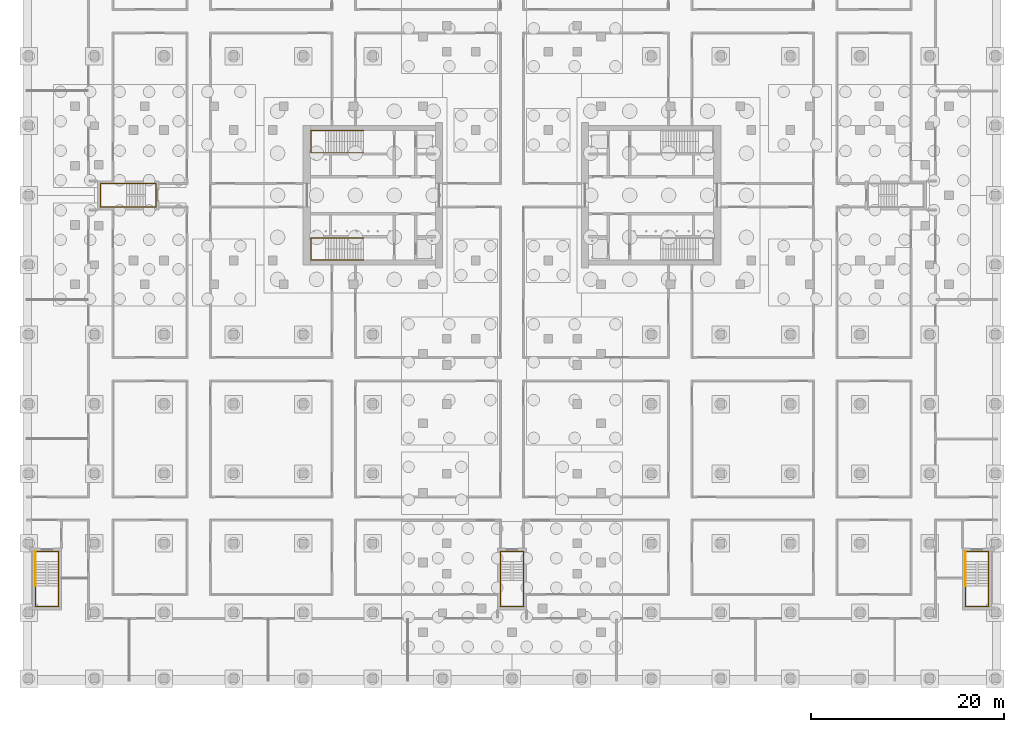
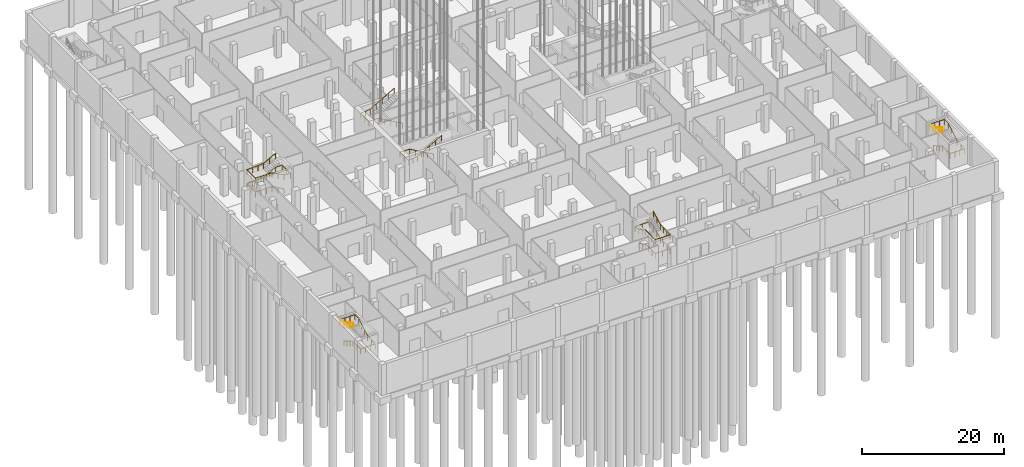
# One storey, part 52 of 54: 10 railings.
"""IFC4 building model written with IfcOpenShell, lengths in metres."""

from ifc_helpers import new_model, si_unit, direction, frame, origin, origin_2d, place, context, subcontext, project, spatial, circle, extrude, material, type_object, element, save


model = new_model("IFC4")

# Units and contexts
model_context = context("Model", 3, precision=1e-05, world=origin(), true_north=direction((0.0, 1.0)))
body_context = subcontext(model_context, "Body", "Model", "MODEL_VIEW")
ifc_project = project(units=[si_unit("LENGTHUNIT", "METRE"), si_unit("AREAUNIT", "SQUARE_METRE"), si_unit("VOLUMEUNIT", "CUBIC_METRE"), si_unit("PLANEANGLEUNIT", "RADIAN"), si_unit("MASSUNIT", "GRAM", prefix="KILO")], contexts=[model_context])

# Site, building, storey
site_placement = place(None, origin())
site = spatial("IfcSite", under=ifc_project, at=site_placement, CompositionType="ELEMENT")
building_placement = place(site_placement, origin())
building = spatial("IfcBuilding", under=site, at=building_placement, Name="Fustian Cross Tower", CompositionType="ELEMENT")
storey_placement = place(building_placement, frame((0.0, 0.0, -4.800048828125)))
storey = spatial("IfcBuildingStorey", under=building, at=storey_placement, Name="B1", CompositionType="ELEMENT", Elevation=-4.800048828125)

# Railings
ifc_material = material(Name="Stainless steel", Category="steel")
railing_type = type_object("IfcRailingType", Name="STAIR HANDRAIL", PredefinedType="HANDRAIL", material=ifc_material)
railing_1_placement = place(storey_placement, frame((-15.35009765625, 4.39990234375, 0.16015625)))
element("IfcRailing", 1, at=railing_1_placement, inside=storey, type_object=railing_type, Name="Stair ST3 handrail 1", PredefinedType="HANDRAIL", context=body_context, shape_type="SweptSolid", body=[
    extrude(circle(Radius=0.02490234375, at=origin_2d()), frame((0.0, 0.0, 0.875), z_axis=(-0.868239814368, 0.0, 0.496144761885), x_axis=(0.0, -1.0, 0.0)), (0.0, 0.0, 1.0), 4.514892578125),
    extrude(circle(Radius=0.02490234375, at=origin_2d()), frame((-3.919921875, 0.0, 3.11474609375), z_axis=(-1.0, 0.0, 0.0), x_axis=(0.0, -1.0, 0.0)), (0.0, 0.0, 1.0), 1.5400390625),
    extrude(circle(Radius=0.02490234375, at=origin_2d()), frame((-5.4599609375, 0.0, 3.11474609375), z_axis=(0.0, 1.0, 0.0), x_axis=(-1.0, 0.0, 0.0)), (0.0, 0.0, 1.0), 2.300048828125),
    extrude(circle(Radius=0.02490234375, at=origin_2d()), frame((-5.4599609375, 2.300048828125, 3.11474609375), z_axis=(0.994652207469, 0.0, 0.10328110271), x_axis=(0.0, 1.0, 0.0)), (0.0, 0.0, 1.0), 1.54833984375),
    extrude(circle(Radius=0.02490234375, at=origin_2d()), frame((-3.919921875, 2.300048828125, 3.27490234375), z_axis=(0.868239814368, 0.0, 0.496144761885), x_axis=(0.0, 1.0, 0.0)), (0.0, 0.0, 1.0), 4.514892578125),
    extrude(circle(Radius=0.02001953125, at=origin_2d()), origin(), (0.0, 0.0, 1.0), 0.849853515625),
    extrude(circle(Radius=0.02001953125, at=origin_2d()), frame((-0.97998046875, 0.0, 0.56005859375)), (0.0, 0.0, 1.0), 0.849853515625),
    extrude(circle(Radius=0.02001953125, at=origin_2d()), frame((-1.9599609375, 0.0, 1.1201171875)), (0.0, 0.0, 1.0), 0.849853515625),
    extrude(circle(Radius=0.02001953125, at=origin_2d()), frame((-2.93994140625, 0.0, 1.679931640625)), (0.0, 0.0, 1.0), 0.849853515625),
    extrude(circle(Radius=0.02001953125, at=origin_2d()), frame((-3.919921875, 0.0, 2.239990234375)), (0.0, 0.0, 1.0), 0.849853515625),
    extrude(circle(Radius=0.02001953125, at=origin_2d()), frame((-4.68994140625, 0.0, 2.239990234375)), (0.0, 0.0, 1.0), 0.849853515625),
    extrude(circle(Radius=0.02001953125, at=origin_2d()), frame((-5.4599609375, 0.0, 2.239990234375)), (0.0, 0.0, 1.0), 0.849853515625),
    extrude(circle(Radius=0.02001953125, at=origin_2d()), frame((-5.4599609375, 1.14990234375, 2.239990234375)), (0.0, 0.0, 1.0), 0.849853515625),
    extrude(circle(Radius=0.02001953125, at=origin_2d()), frame((-5.4599609375, 2.300048828125, 2.239990234375)), (0.0, 0.0, 1.0), 0.849853515625),
    extrude(circle(Radius=0.02001953125, at=origin_2d()), frame((-4.68994140625, 2.300048828125, 2.31982421875)), (0.0, 0.0, 1.0), 0.849853515625),
    extrude(circle(Radius=0.02001953125, at=origin_2d()), frame((-3.919921875, 2.300048828125, 2.39990234375)), (0.0, 0.0, 1.0), 0.849853515625),
    extrude(circle(Radius=0.02001953125, at=origin_2d()), frame((-2.93994140625, 2.300048828125, 2.9599609375)), (0.0, 0.0, 1.0), 0.849853515625),
    extrude(circle(Radius=0.02001953125, at=origin_2d()), frame((-1.9599609375, 2.300048828125, 3.52001953125)), (0.0, 0.0, 1.0), 0.849853515625),
    extrude(circle(Radius=0.02001953125, at=origin_2d()), frame((-0.97998046875, 2.300048828125, 4.079833984375)), (0.0, 0.0, 1.0), 0.849853515625),
    extrude(circle(Radius=0.02001953125, at=origin_2d()), frame((0.0, 2.300048828125, 4.639892578125)), (0.0, 0.0, 1.0), 0.849853515625),
])
railing_2_placement = place(storey_placement, frame((-15.35009765625, -4.39990234375, 0.16015625)))
element("IfcRailing", 2, at=railing_2_placement, inside=storey, type_object=railing_type, Name="Stair ST4 handrail 1", PredefinedType="HANDRAIL", context=body_context, shape_type="SweptSolid", body=[
    extrude(circle(Radius=0.02490234375, at=origin_2d()), frame((0.0, 0.0, 0.875), z_axis=(-0.868239814368, 0.0, 0.496144761885), x_axis=(0.0, -1.0, 0.0)), (0.0, 0.0, 1.0), 4.514892578125),
    extrude(circle(Radius=0.02490234375, at=origin_2d()), frame((-3.919921875, 0.0, 3.11474609375), z_axis=(-1.0, 0.0, 0.0), x_axis=(0.0, -1.0, 0.0)), (0.0, 0.0, 1.0), 1.5400390625),
    extrude(circle(Radius=0.02490234375, at=origin_2d()), frame((-5.4599609375, 0.0, 3.11474609375), z_axis=(0.0, -1.0, 0.0), x_axis=(1.0, 0.0, 0.0)), (0.0, 0.0, 1.0), 2.300048828125),
    extrude(circle(Radius=0.02490234375, at=origin_2d()), frame((-5.4599609375, -2.300048828125, 3.11474609375), z_axis=(0.994652207469, 0.0, 0.10328110271), x_axis=(0.0, 1.0, 0.0)), (0.0, 0.0, 1.0), 1.54833984375),
    extrude(circle(Radius=0.02490234375, at=origin_2d()), frame((-3.919921875, -2.300048828125, 3.27490234375), z_axis=(0.868239814368, 0.0, 0.496144761885), x_axis=(0.0, 1.0, 0.0)), (0.0, 0.0, 1.0), 4.514892578125),
    extrude(circle(Radius=0.02001953125, at=origin_2d()), origin(), (0.0, 0.0, 1.0), 0.849853515625),
    extrude(circle(Radius=0.02001953125, at=origin_2d()), frame((-0.97998046875, 0.0, 0.56005859375)), (0.0, 0.0, 1.0), 0.849853515625),
    extrude(circle(Radius=0.02001953125, at=origin_2d()), frame((-1.9599609375, 0.0, 1.1201171875)), (0.0, 0.0, 1.0), 0.849853515625),
    extrude(circle(Radius=0.02001953125, at=origin_2d()), frame((-2.93994140625, 0.0, 1.679931640625)), (0.0, 0.0, 1.0), 0.849853515625),
    extrude(circle(Radius=0.02001953125, at=origin_2d()), frame((-3.919921875, 0.0, 2.239990234375)), (0.0, 0.0, 1.0), 0.849853515625),
    extrude(circle(Radius=0.02001953125, at=origin_2d()), frame((-4.68994140625, 0.0, 2.239990234375)), (0.0, 0.0, 1.0), 0.849853515625),
    extrude(circle(Radius=0.02001953125, at=origin_2d()), frame((-5.4599609375, 0.0, 2.239990234375)), (0.0, 0.0, 1.0), 0.849853515625),
    extrude(circle(Radius=0.02001953125, at=origin_2d()), frame((-5.4599609375, -1.14990234375, 2.239990234375)), (0.0, 0.0, 1.0), 0.849853515625),
    extrude(circle(Radius=0.02001953125, at=origin_2d()), frame((-5.4599609375, -2.300048828125, 2.239990234375)), (0.0, 0.0, 1.0), 0.849853515625),
    extrude(circle(Radius=0.02001953125, at=origin_2d()), frame((-4.68994140625, -2.300048828125, 2.31982421875)), (0.0, 0.0, 1.0), 0.849853515625),
    extrude(circle(Radius=0.02001953125, at=origin_2d()), frame((-3.919921875, -2.300048828125, 2.39990234375)), (0.0, 0.0, 1.0), 0.849853515625),
    extrude(circle(Radius=0.02001953125, at=origin_2d()), frame((-2.93994140625, -2.300048828125, 2.9599609375)), (0.0, 0.0, 1.0), 0.849853515625),
    extrude(circle(Radius=0.02001953125, at=origin_2d()), frame((-1.9599609375, -2.300048828125, 3.52001953125)), (0.0, 0.0, 1.0), 0.849853515625),
    extrude(circle(Radius=0.02001953125, at=origin_2d()), frame((-0.97998046875, -2.300048828125, 4.079833984375)), (0.0, 0.0, 1.0), 0.849853515625),
    extrude(circle(Radius=0.02001953125, at=origin_2d()), frame((0.0, -2.300048828125, 4.639892578125)), (0.0, 0.0, 1.0), 0.849853515625),
])
railing_3_placement = place(storey_placement, frame((-1.199951171875, -37.89990234375, 0.150146484375)))
element("IfcRailing", 3, at=railing_3_placement, inside=storey, type_object=railing_type, Name="Stair ST6 handrail 1", PredefinedType="HANDRAIL", context=body_context, shape_type="SweptSolid", body=[
    extrude(circle(Radius=0.02490234375, at=origin_2d()), frame((0.0, 0.0, 0.875), z_axis=(0.0, -0.881537091348, 0.472114770556), x_axis=(1.0, 0.0, 0.0)), (0.0, 0.0, 1.0), 2.2236328125),
    extrude(circle(Radius=0.02490234375, at=origin_2d()), frame((0.0, -1.960205078125, 1.9248046875), z_axis=(0.0, -1.0, 0.0), x_axis=(1.0, 0.0, 0.0)), (0.0, 0.0, 1.0), 2.699951171875),
    extrude(circle(Radius=0.02490234375, at=origin_2d()), frame((0.0, -4.66015625, 1.9248046875), z_axis=(1.0, 0.0, 0.0), x_axis=(0.0, 1.0, 0.0)), (0.0, 0.0, 1.0), 2.39990234375),
    extrude(circle(Radius=0.02490234375, at=origin_2d()), frame((2.39990234375, -4.66015625, 1.9248046875), z_axis=(0.0, 0.998457295904, 0.055525023689), x_axis=(-1.0, 0.0, 0.0)), (0.0, 0.0, 1.0), 2.7041015625),
    extrude(circle(Radius=0.02490234375, at=origin_2d()), frame((2.39990234375, -1.960205078125, 2.07470703125), z_axis=(0.0, 0.881491394732, 0.472200085782), x_axis=(-1.0, 0.0, 0.0)), (0.0, 0.0, 1.0), 2.2236328125),
    extrude(circle(Radius=0.02490234375, at=origin_2d()), frame((2.39990234375, 0.0, 3.125), z_axis=(0.0, 1.0, 0.0), x_axis=(-1.0, 0.0, 0.0)), (0.0, 0.0, 1.0), 1.059814453125),
    extrude(circle(Radius=0.02490234375, at=origin_2d()), frame((2.39990234375, 1.059814453125, 3.125), z_axis=(-1.0, 0.0, 0.0), x_axis=(0.0, -1.0, 0.0)), (0.0, 0.0, 1.0), 2.39990234375),
    extrude(circle(Radius=0.02001953125, at=origin_2d()), origin(), (0.0, 0.0, 1.0), 0.849853515625),
    extrude(circle(Radius=0.02001953125, at=origin_2d()), frame((0.0, -0.97998046875, 0.52490234375)), (0.0, 0.0, 1.0), 0.849853515625),
    extrude(circle(Radius=0.02001953125, at=origin_2d()), frame((0.0, -1.960205078125, 1.0498046875)), (0.0, 0.0, 1.0), 0.849853515625),
    extrude(circle(Radius=0.02001953125, at=origin_2d()), frame((0.0, -2.860107421875, 1.0498046875)), (0.0, 0.0, 1.0), 0.849853515625),
    extrude(circle(Radius=0.02001953125, at=origin_2d()), frame((0.0, -3.76025390625, 1.0498046875)), (0.0, 0.0, 1.0), 0.849853515625),
    extrude(circle(Radius=0.02001953125, at=origin_2d()), frame((0.0, -4.66015625, 1.0498046875)), (0.0, 0.0, 1.0), 0.849853515625),
    extrude(circle(Radius=0.02001953125, at=origin_2d()), frame((1.199951171875, -4.66015625, 1.0498046875)), (0.0, 0.0, 1.0), 0.849853515625),
    extrude(circle(Radius=0.02001953125, at=origin_2d()), frame((2.39990234375, -4.66015625, 1.0498046875)), (0.0, 0.0, 1.0), 0.849853515625),
    extrude(circle(Radius=0.02001953125, at=origin_2d()), frame((2.39990234375, -3.76025390625, 1.099853515625)), (0.0, 0.0, 1.0), 0.849853515625),
    extrude(circle(Radius=0.02001953125, at=origin_2d()), frame((2.39990234375, -2.860107421875, 1.14990234375)), (0.0, 0.0, 1.0), 0.849853515625),
    extrude(circle(Radius=0.02001953125, at=origin_2d()), frame((2.39990234375, -1.960205078125, 1.199951171875)), (0.0, 0.0, 1.0), 0.849853515625),
    extrude(circle(Radius=0.02001953125, at=origin_2d()), frame((2.39990234375, -0.97998046875, 1.72509765625)), (0.0, 0.0, 1.0), 0.849853515625),
    extrude(circle(Radius=0.02001953125, at=origin_2d()), frame((2.39990234375, 0.0, 2.25)), (0.0, 0.0, 1.0), 0.849853515625),
    extrude(circle(Radius=0.02001953125, at=origin_2d()), frame((2.39990234375, 1.059814453125, 2.25)), (0.0, 0.0, 1.0), 0.849853515625),
    extrude(circle(Radius=0.02001953125, at=origin_2d()), frame((1.199951171875, 1.059814453125, 2.25)), (0.0, 0.0, 1.0), 0.849853515625),
    extrude(circle(Radius=0.02001953125, at=origin_2d()), frame((0.0, 1.059814453125, 2.25)), (0.0, 0.0, 1.0), 0.849853515625),
])
railing_4_placement = place(storey_placement, frame((-1.199951171875, -36.840087890625, 2.400146484375)))
element("IfcRailing", 4, at=railing_4_placement, inside=storey, type_object=railing_type, Name="Stair ST6 handrail 2", PredefinedType="HANDRAIL", context=body_context, shape_type="SweptSolid", body=[
    extrude(circle(Radius=0.02490234375, at=origin_2d()), frame((0.0, 0.0, 0.875), z_axis=(0.0, -0.990144699965, 0.140048110062), x_axis=(1.0, 0.0, 0.0)), (0.0, 0.0, 1.0), 1.0703125),
    extrude(circle(Radius=0.02490234375, at=origin_2d()), frame((0.0, -1.059814453125, 1.02490234375), z_axis=(0.0, -0.881491394732, 0.472200085782), x_axis=(1.0, 0.0, 0.0)), (0.0, 0.0, 1.0), 2.2236328125),
    extrude(circle(Radius=0.02490234375, at=origin_2d()), frame((0.0, -3.02001953125, 2.07470703125), z_axis=(0.0, -1.0, 0.0), x_axis=(1.0, 0.0, 0.0)), (0.0, 0.0, 1.0), 2.699951171875),
    extrude(circle(Radius=0.02490234375, at=origin_2d()), frame((0.0, -5.719970703125, 2.07470703125), z_axis=(1.0, 0.0, 0.0), x_axis=(0.0, 1.0, 0.0)), (0.0, 0.0, 1.0), 2.39990234375),
    extrude(circle(Radius=0.02490234375, at=origin_2d()), frame((2.39990234375, -5.719970703125, 2.07470703125), z_axis=(0.0, 0.998462297193, 0.055435016772), x_axis=(-1.0, 0.0, 0.0)), (0.0, 0.0, 1.0), 2.7041015625),
    extrude(circle(Radius=0.02490234375, at=origin_2d()), frame((2.39990234375, -3.02001953125, 2.224609375), z_axis=(0.0, 0.881491394732, 0.472200085782), x_axis=(-1.0, 0.0, 0.0)), (0.0, 0.0, 1.0), 2.2236328125),
    extrude(circle(Radius=0.02001953125, at=origin_2d()), origin(), (0.0, 0.0, 1.0), 0.849853515625),
    extrude(circle(Radius=0.02001953125, at=origin_2d()), frame((0.0, -1.059814453125, 0.14990234375)), (0.0, 0.0, 1.0), 0.849853515625),
    extrude(circle(Radius=0.02001953125, at=origin_2d()), frame((0.0, -2.0400390625, 0.6748046875)), (0.0, 0.0, 1.0), 0.849853515625),
    extrude(circle(Radius=0.02001953125, at=origin_2d()), frame((0.0, -3.02001953125, 1.199951171875)), (0.0, 0.0, 1.0), 0.849853515625),
    extrude(circle(Radius=0.02001953125, at=origin_2d()), frame((0.0, -3.919921875, 1.199951171875)), (0.0, 0.0, 1.0), 0.849853515625),
    extrude(circle(Radius=0.02001953125, at=origin_2d()), frame((0.0, -4.820068359375, 1.199951171875)), (0.0, 0.0, 1.0), 0.849853515625),
    extrude(circle(Radius=0.02001953125, at=origin_2d()), frame((0.0, -5.719970703125, 1.199951171875)), (0.0, 0.0, 1.0), 0.849853515625),
    extrude(circle(Radius=0.02001953125, at=origin_2d()), frame((1.199951171875, -5.719970703125, 1.199951171875)), (0.0, 0.0, 1.0), 0.849853515625),
    extrude(circle(Radius=0.02001953125, at=origin_2d()), frame((2.39990234375, -5.719970703125, 1.199951171875)), (0.0, 0.0, 1.0), 0.849853515625),
    extrude(circle(Radius=0.02001953125, at=origin_2d()), frame((2.39990234375, -4.820068359375, 1.25)), (0.0, 0.0, 1.0), 0.849853515625),
    extrude(circle(Radius=0.02001953125, at=origin_2d()), frame((2.39990234375, -3.919921875, 1.2998046875)), (0.0, 0.0, 1.0), 0.849853515625),
    extrude(circle(Radius=0.02001953125, at=origin_2d()), frame((2.39990234375, -3.02001953125, 1.349853515625)), (0.0, 0.0, 1.0), 0.849853515625),
    extrude(circle(Radius=0.02001953125, at=origin_2d()), frame((2.39990234375, -2.0400390625, 1.875)), (0.0, 0.0, 1.0), 0.849853515625),
    extrude(circle(Radius=0.02001953125, at=origin_2d()), frame((2.39990234375, -1.059814453125, 2.39990234375)), (0.0, 0.0, 1.0), 0.849853515625),
])
railing_5_placement = place(storey_placement, frame((-37.89990234375, -1.199951171875, 0.150146484375)))
element("IfcRailing", 5, at=railing_5_placement, inside=storey, type_object=railing_type, Name="Stair ST9 handrail 1", PredefinedType="HANDRAIL", context=body_context, shape_type="SweptSolid", body=[
    extrude(circle(Radius=0.02490234375, at=origin_2d()), frame((0.0, 0.0, 0.875), z_axis=(-0.881537091348, 0.0, 0.472114770556), x_axis=(0.0, -1.0, 0.0)), (0.0, 0.0, 1.0), 2.2236328125),
    extrude(circle(Radius=0.02490234375, at=origin_2d()), frame((-1.960205078125, 0.0, 1.9248046875), z_axis=(-1.0, 0.0, 0.0), x_axis=(0.0, -1.0, 0.0)), (0.0, 0.0, 1.0), 2.699951171875),
    extrude(circle(Radius=0.02490234375, at=origin_2d()), frame((-4.66015625, 0.0, 1.9248046875), z_axis=(0.0, 1.0, 0.0), x_axis=(-1.0, 0.0, 0.0)), (0.0, 0.0, 1.0), 2.39990234375),
    extrude(circle(Radius=0.02490234375, at=origin_2d()), frame((-4.66015625, 2.39990234375, 1.9248046875), z_axis=(0.998457295904, 0.0, 0.055525023689), x_axis=(0.0, 1.0, 0.0)), (0.0, 0.0, 1.0), 2.7041015625),
    extrude(circle(Radius=0.02490234375, at=origin_2d()), frame((-1.960205078125, 2.39990234375, 2.07470703125), z_axis=(0.881491394732, 0.0, 0.472200085782), x_axis=(0.0, 1.0, 0.0)), (0.0, 0.0, 1.0), 2.2236328125),
    extrude(circle(Radius=0.02490234375, at=origin_2d()), frame((0.0, 2.39990234375, 3.125), z_axis=(1.0, 0.0, 0.0), x_axis=(0.0, 1.0, 0.0)), (0.0, 0.0, 1.0), 1.059814453125),
    extrude(circle(Radius=0.02490234375, at=origin_2d()), frame((1.059814453125, 2.39990234375, 3.125), z_axis=(0.0, -1.0, 0.0), x_axis=(1.0, 0.0, 0.0)), (0.0, 0.0, 1.0), 2.39990234375),
    extrude(circle(Radius=0.02001953125, at=origin_2d()), origin(), (0.0, 0.0, 1.0), 0.849853515625),
    extrude(circle(Radius=0.02001953125, at=origin_2d()), frame((-0.97998046875, 0.0, 0.52490234375)), (0.0, 0.0, 1.0), 0.849853515625),
    extrude(circle(Radius=0.02001953125, at=origin_2d()), frame((-1.960205078125, 0.0, 1.0498046875)), (0.0, 0.0, 1.0), 0.849853515625),
    extrude(circle(Radius=0.02001953125, at=origin_2d()), frame((-2.860107421875, 0.0, 1.0498046875)), (0.0, 0.0, 1.0), 0.849853515625),
    extrude(circle(Radius=0.02001953125, at=origin_2d()), frame((-3.76025390625, 0.0, 1.0498046875)), (0.0, 0.0, 1.0), 0.849853515625),
    extrude(circle(Radius=0.02001953125, at=origin_2d()), frame((-4.66015625, 0.0, 1.0498046875)), (0.0, 0.0, 1.0), 0.849853515625),
    extrude(circle(Radius=0.02001953125, at=origin_2d()), frame((-4.66015625, 1.199951171875, 1.0498046875)), (0.0, 0.0, 1.0), 0.849853515625),
    extrude(circle(Radius=0.02001953125, at=origin_2d()), frame((-4.66015625, 2.39990234375, 1.0498046875)), (0.0, 0.0, 1.0), 0.849853515625),
    extrude(circle(Radius=0.02001953125, at=origin_2d()), frame((-3.76025390625, 2.39990234375, 1.099853515625)), (0.0, 0.0, 1.0), 0.849853515625),
    extrude(circle(Radius=0.02001953125, at=origin_2d()), frame((-2.860107421875, 2.39990234375, 1.14990234375)), (0.0, 0.0, 1.0), 0.849853515625),
    extrude(circle(Radius=0.02001953125, at=origin_2d()), frame((-1.960205078125, 2.39990234375, 1.199951171875)), (0.0, 0.0, 1.0), 0.849853515625),
    extrude(circle(Radius=0.02001953125, at=origin_2d()), frame((-0.97998046875, 2.39990234375, 1.72509765625)), (0.0, 0.0, 1.0), 0.849853515625),
    extrude(circle(Radius=0.02001953125, at=origin_2d()), frame((0.0, 2.39990234375, 2.25)), (0.0, 0.0, 1.0), 0.849853515625),
    extrude(circle(Radius=0.02001953125, at=origin_2d()), frame((1.059814453125, 2.39990234375, 2.25)), (0.0, 0.0, 1.0), 0.849853515625),
    extrude(circle(Radius=0.02001953125, at=origin_2d()), frame((1.059814453125, 1.199951171875, 2.25)), (0.0, 0.0, 1.0), 0.849853515625),
    extrude(circle(Radius=0.02001953125, at=origin_2d()), frame((1.059814453125, 0.0, 2.25)), (0.0, 0.0, 1.0), 0.849853515625),
])
railing_6_placement = place(storey_placement, frame((-36.840087890625, -1.199951171875, 2.400146484375)))
element("IfcRailing", 6, at=railing_6_placement, inside=storey, type_object=railing_type, Name="Stair ST9 handrail 2", PredefinedType="HANDRAIL", context=body_context, shape_type="SweptSolid", body=[
    extrude(circle(Radius=0.02490234375, at=origin_2d()), frame((0.0, 0.0, 0.875), z_axis=(-0.990144699965, 0.0, 0.140048110062), x_axis=(0.0, -1.0, 0.0)), (0.0, 0.0, 1.0), 1.0703125),
    extrude(circle(Radius=0.02490234375, at=origin_2d()), frame((-1.059814453125, 0.0, 1.02490234375), z_axis=(-0.881491394732, 0.0, 0.472200085782), x_axis=(0.0, -1.0, 0.0)), (0.0, 0.0, 1.0), 2.2236328125),
    extrude(circle(Radius=0.02490234375, at=origin_2d()), frame((-3.02001953125, 0.0, 2.07470703125), z_axis=(-1.0, 0.0, 0.0), x_axis=(0.0, -1.0, 0.0)), (0.0, 0.0, 1.0), 2.699951171875),
    extrude(circle(Radius=0.02490234375, at=origin_2d()), frame((-5.719970703125, 0.0, 2.07470703125), z_axis=(0.0, 1.0, 0.0), x_axis=(-1.0, 0.0, 0.0)), (0.0, 0.0, 1.0), 2.39990234375),
    extrude(circle(Radius=0.02490234375, at=origin_2d()), frame((-5.719970703125, 2.39990234375, 2.07470703125), z_axis=(0.998462297193, 0.0, 0.055435016772), x_axis=(0.0, 1.0, 0.0)), (0.0, 0.0, 1.0), 2.7041015625),
    extrude(circle(Radius=0.02490234375, at=origin_2d()), frame((-3.02001953125, 2.39990234375, 2.224609375), z_axis=(0.881491394732, 0.0, 0.472200085782), x_axis=(0.0, 1.0, 0.0)), (0.0, 0.0, 1.0), 2.2236328125),
    extrude(circle(Radius=0.02001953125, at=origin_2d()), origin(), (0.0, 0.0, 1.0), 0.849853515625),
    extrude(circle(Radius=0.02001953125, at=origin_2d()), frame((-1.059814453125, 0.0, 0.14990234375)), (0.0, 0.0, 1.0), 0.849853515625),
    extrude(circle(Radius=0.02001953125, at=origin_2d()), frame((-2.0400390625, 0.0, 0.6748046875)), (0.0, 0.0, 1.0), 0.849853515625),
    extrude(circle(Radius=0.02001953125, at=origin_2d()), frame((-3.02001953125, 0.0, 1.199951171875)), (0.0, 0.0, 1.0), 0.849853515625),
    extrude(circle(Radius=0.02001953125, at=origin_2d()), frame((-3.919921875, 0.0, 1.199951171875)), (0.0, 0.0, 1.0), 0.849853515625),
    extrude(circle(Radius=0.02001953125, at=origin_2d()), frame((-4.820068359375, 0.0, 1.199951171875)), (0.0, 0.0, 1.0), 0.849853515625),
    extrude(circle(Radius=0.02001953125, at=origin_2d()), frame((-5.719970703125, 0.0, 1.199951171875)), (0.0, 0.0, 1.0), 0.849853515625),
    extrude(circle(Radius=0.02001953125, at=origin_2d()), frame((-5.719970703125, 1.199951171875, 1.199951171875)), (0.0, 0.0, 1.0), 0.849853515625),
    extrude(circle(Radius=0.02001953125, at=origin_2d()), frame((-5.719970703125, 2.39990234375, 1.199951171875)), (0.0, 0.0, 1.0), 0.849853515625),
    extrude(circle(Radius=0.02001953125, at=origin_2d()), frame((-4.820068359375, 2.39990234375, 1.25)), (0.0, 0.0, 1.0), 0.849853515625),
    extrude(circle(Radius=0.02001953125, at=origin_2d()), frame((-3.919921875, 2.39990234375, 1.2998046875)), (0.0, 0.0, 1.0), 0.849853515625),
    extrude(circle(Radius=0.02001953125, at=origin_2d()), frame((-3.02001953125, 2.39990234375, 1.349853515625)), (0.0, 0.0, 1.0), 0.849853515625),
    extrude(circle(Radius=0.02001953125, at=origin_2d()), frame((-2.0400390625, 2.39990234375, 1.875)), (0.0, 0.0, 1.0), 0.849853515625),
    extrude(circle(Radius=0.02001953125, at=origin_2d()), frame((-1.059814453125, 2.39990234375, 2.39990234375)), (0.0, 0.0, 1.0), 0.849853515625),
])
railing_7_placement = place(storey_placement, frame((46.89990234375, -37.89990234375, 0.16015625)))
element("IfcRailing", 7, at=railing_7_placement, inside=storey, type_object=railing_type, Name="Stair ST12 handrail 1", PredefinedType="HANDRAIL", context=body_context, shape_type="SweptSolid", body=[
    extrude(circle(Radius=0.02490234375, at=origin_2d()), frame((0.0, 0.0, 0.875), z_axis=(0.0, -0.868253494771, 0.496120820787), x_axis=(1.0, 0.0, 0.0)), (0.0, 0.0, 1.0), 2.90234375),
    extrude(circle(Radius=0.02490234375, at=origin_2d()), frame((0.0, -2.52001953125, 2.31494140625), z_axis=(0.0, -1.0, 0.0), x_axis=(1.0, 0.0, 0.0)), (0.0, 0.0, 1.0), 2.14013671875),
    extrude(circle(Radius=0.02490234375, at=origin_2d()), frame((0.0, -4.66015625, 2.31494140625), z_axis=(1.0, 0.0, 0.0), x_axis=(0.0, 1.0, 0.0)), (0.0, 0.0, 1.0), 2.400146484375),
    extrude(circle(Radius=0.02490234375, at=origin_2d()), frame((2.400146484375, -4.66015625, 2.31494140625), z_axis=(0.0, 0.997220057848, 0.074512792367), x_axis=(-1.0, 0.0, 0.0)), (0.0, 0.0, 1.0), 2.14599609375),
    extrude(circle(Radius=0.02490234375, at=origin_2d()), frame((2.400146484375, -2.52001953125, 2.474609375), z_axis=(0.0, 0.868253494771, 0.496120820787), x_axis=(-1.0, 0.0, 0.0)), (0.0, 0.0, 1.0), 2.90234375),
    extrude(circle(Radius=0.02490234375, at=origin_2d()), frame((2.400146484375, 0.0, 3.91455078125), z_axis=(0.0, 1.0, 0.0), x_axis=(-1.0, 0.0, 0.0)), (0.0, 0.0, 1.0), 1.059814453125),
    extrude(circle(Radius=0.02490234375, at=origin_2d()), frame((2.400146484375, 1.059814453125, 3.91455078125), z_axis=(-1.0, 0.0, 0.0), x_axis=(0.0, -1.0, 0.0)), (0.0, 0.0, 1.0), 2.400146484375),
    extrude(circle(Radius=0.02001953125, at=origin_2d()), origin(), (0.0, 0.0, 1.0), 0.849853515625),
    extrude(circle(Radius=0.02001953125, at=origin_2d()), frame((0.0, -0.840087890625, 0.47998046875)), (0.0, 0.0, 1.0), 0.849853515625),
    extrude(circle(Radius=0.02001953125, at=origin_2d()), frame((0.0, -1.679931640625, 0.9599609375)), (0.0, 0.0, 1.0), 0.849853515625),
    extrude(circle(Radius=0.02001953125, at=origin_2d()), frame((0.0, -2.52001953125, 1.43994140625)), (0.0, 0.0, 1.0), 0.849853515625),
    extrude(circle(Radius=0.02001953125, at=origin_2d()), frame((0.0, -3.590087890625, 1.43994140625)), (0.0, 0.0, 1.0), 0.849853515625),
    extrude(circle(Radius=0.02001953125, at=origin_2d()), frame((0.0, -4.66015625, 1.43994140625)), (0.0, 0.0, 1.0), 0.849853515625),
    extrude(circle(Radius=0.02001953125, at=origin_2d()), frame((0.800048828125, -4.66015625, 1.43994140625)), (0.0, 0.0, 1.0), 0.849853515625),
    extrude(circle(Radius=0.02001953125, at=origin_2d()), frame((1.60009765625, -4.66015625, 1.43994140625)), (0.0, 0.0, 1.0), 0.849853515625),
    extrude(circle(Radius=0.02001953125, at=origin_2d()), frame((2.400146484375, -4.66015625, 1.43994140625)), (0.0, 0.0, 1.0), 0.849853515625),
    extrude(circle(Radius=0.02001953125, at=origin_2d()), frame((2.400146484375, -3.590087890625, 1.52001953125)), (0.0, 0.0, 1.0), 0.849853515625),
    extrude(circle(Radius=0.02001953125, at=origin_2d()), frame((2.400146484375, -2.52001953125, 1.599853515625)), (0.0, 0.0, 1.0), 0.849853515625),
    extrude(circle(Radius=0.02001953125, at=origin_2d()), frame((2.400146484375, -1.679931640625, 2.079833984375)), (0.0, 0.0, 1.0), 0.849853515625),
    extrude(circle(Radius=0.02001953125, at=origin_2d()), frame((2.400146484375, -0.840087890625, 2.559814453125)), (0.0, 0.0, 1.0), 0.849853515625),
    extrude(circle(Radius=0.02001953125, at=origin_2d()), frame((2.400146484375, 0.0, 3.039794921875)), (0.0, 0.0, 1.0), 0.849853515625),
    extrude(circle(Radius=0.02001953125, at=origin_2d()), frame((2.400146484375, 1.059814453125, 3.039794921875)), (0.0, 0.0, 1.0), 0.849853515625),
    extrude(circle(Radius=0.02001953125, at=origin_2d()), frame((1.60009765625, 1.059814453125, 3.039794921875)), (0.0, 0.0, 1.0), 0.849853515625),
    extrude(circle(Radius=0.02001953125, at=origin_2d()), frame((0.800048828125, 1.059814453125, 3.039794921875)), (0.0, 0.0, 1.0), 0.849853515625),
    extrude(circle(Radius=0.02001953125, at=origin_2d()), frame((0.0, 1.059814453125, 3.039794921875)), (0.0, 0.0, 1.0), 0.849853515625),
])
railing_8_placement = place(storey_placement, frame((46.89990234375, -36.840087890625, 3.199951171875)))
element("IfcRailing", 8, at=railing_8_placement, inside=storey, type_object=railing_type, Name="Stair ST12 handrail 2", PredefinedType="HANDRAIL", context=body_context, shape_type="SweptSolid", body=[
    extrude(circle(Radius=0.02490234375, at=origin_2d()), frame((0.0, 0.0, 0.875), z_axis=(0.0, -0.988773702343, 0.149420766813), x_axis=(1.0, 0.0, 0.0)), (0.0, 0.0, 1.0), 1.07177734375),
    extrude(circle(Radius=0.02490234375, at=origin_2d()), frame((0.0, -1.059814453125, 1.03515625), z_axis=(0.0, -0.868253494771, 0.496120820787), x_axis=(1.0, 0.0, 0.0)), (0.0, 0.0, 1.0), 2.90234375),
    extrude(circle(Radius=0.02001953125, at=origin_2d()), origin(), (0.0, 0.0, 1.0), 0.849853515625),
    extrude(circle(Radius=0.02001953125, at=origin_2d()), frame((0.0, -1.059814453125, 0.16015625)), (0.0, 0.0, 1.0), 0.849853515625),
    extrude(circle(Radius=0.02001953125, at=origin_2d()), frame((0.0, -1.89990234375, 0.64013671875)), (0.0, 0.0, 1.0), 0.849853515625),
    extrude(circle(Radius=0.02001953125, at=origin_2d()), frame((0.0, -2.73974609375, 1.1201171875)), (0.0, 0.0, 1.0), 0.849853515625),
    extrude(circle(Radius=0.02001953125, at=origin_2d()), frame((0.0, -3.579833984375, 1.60009765625)), (0.0, 0.0, 1.0), 0.849853515625),
])
railing_9_placement = place(storey_placement, frame((-49.300048828125, -37.89990234375, 0.16015625)))
element("IfcRailing", 9, at=railing_9_placement, inside=storey, type_object=railing_type, Name="Stair ST13 handrail 1", PredefinedType="HANDRAIL", context=body_context, shape_type="SweptSolid", body=[
    extrude(circle(Radius=0.02490234375, at=origin_2d()), frame((0.0, 0.0, 0.875), z_axis=(0.0, -0.868253494771, 0.496120820787), x_axis=(1.0, 0.0, 0.0)), (0.0, 0.0, 1.0), 2.90234375),
    extrude(circle(Radius=0.02490234375, at=origin_2d()), frame((0.0, -2.52001953125, 2.31494140625), z_axis=(0.0, -1.0, 0.0), x_axis=(1.0, 0.0, 0.0)), (0.0, 0.0, 1.0), 2.14013671875),
    extrude(circle(Radius=0.02490234375, at=origin_2d()), frame((0.0, -4.66015625, 2.31494140625), z_axis=(1.0, 0.0, 0.0), x_axis=(0.0, 1.0, 0.0)), (0.0, 0.0, 1.0), 2.400146484375),
    extrude(circle(Radius=0.02490234375, at=origin_2d()), frame((2.400146484375, -4.66015625, 2.31494140625), z_axis=(0.0, 0.997220057848, 0.074512792367), x_axis=(-1.0, 0.0, 0.0)), (0.0, 0.0, 1.0), 2.14599609375),
    extrude(circle(Radius=0.02490234375, at=origin_2d()), frame((2.400146484375, -2.52001953125, 2.474609375), z_axis=(0.0, 0.868253494771, 0.496120820787), x_axis=(-1.0, 0.0, 0.0)), (0.0, 0.0, 1.0), 2.90234375),
    extrude(circle(Radius=0.02490234375, at=origin_2d()), frame((2.400146484375, 0.0, 3.91455078125), z_axis=(0.0, 1.0, 0.0), x_axis=(-1.0, 0.0, 0.0)), (0.0, 0.0, 1.0), 1.059814453125),
    extrude(circle(Radius=0.02490234375, at=origin_2d()), frame((2.400146484375, 1.059814453125, 3.91455078125), z_axis=(-1.0, 0.0, 0.0), x_axis=(0.0, -1.0, 0.0)), (0.0, 0.0, 1.0), 2.400146484375),
    extrude(circle(Radius=0.02001953125, at=origin_2d()), origin(), (0.0, 0.0, 1.0), 0.849853515625),
    extrude(circle(Radius=0.02001953125, at=origin_2d()), frame((0.0, -0.840087890625, 0.47998046875)), (0.0, 0.0, 1.0), 0.849853515625),
    extrude(circle(Radius=0.02001953125, at=origin_2d()), frame((0.0, -1.679931640625, 0.9599609375)), (0.0, 0.0, 1.0), 0.849853515625),
    extrude(circle(Radius=0.02001953125, at=origin_2d()), frame((0.0, -2.52001953125, 1.43994140625)), (0.0, 0.0, 1.0), 0.849853515625),
    extrude(circle(Radius=0.02001953125, at=origin_2d()), frame((0.0, -3.590087890625, 1.43994140625)), (0.0, 0.0, 1.0), 0.849853515625),
    extrude(circle(Radius=0.02001953125, at=origin_2d()), frame((0.0, -4.66015625, 1.43994140625)), (0.0, 0.0, 1.0), 0.849853515625),
    extrude(circle(Radius=0.02001953125, at=origin_2d()), frame((0.800048828125, -4.66015625, 1.43994140625)), (0.0, 0.0, 1.0), 0.849853515625),
    extrude(circle(Radius=0.02001953125, at=origin_2d()), frame((1.60009765625, -4.66015625, 1.43994140625)), (0.0, 0.0, 1.0), 0.849853515625),
    extrude(circle(Radius=0.02001953125, at=origin_2d()), frame((2.400146484375, -4.66015625, 1.43994140625)), (0.0, 0.0, 1.0), 0.849853515625),
    extrude(circle(Radius=0.02001953125, at=origin_2d()), frame((2.400146484375, -3.590087890625, 1.52001953125)), (0.0, 0.0, 1.0), 0.849853515625),
    extrude(circle(Radius=0.02001953125, at=origin_2d()), frame((2.400146484375, -2.52001953125, 1.599853515625)), (0.0, 0.0, 1.0), 0.849853515625),
    extrude(circle(Radius=0.02001953125, at=origin_2d()), frame((2.400146484375, -1.679931640625, 2.079833984375)), (0.0, 0.0, 1.0), 0.849853515625),
    extrude(circle(Radius=0.02001953125, at=origin_2d()), frame((2.400146484375, -0.840087890625, 2.559814453125)), (0.0, 0.0, 1.0), 0.849853515625),
    extrude(circle(Radius=0.02001953125, at=origin_2d()), frame((2.400146484375, 0.0, 3.039794921875)), (0.0, 0.0, 1.0), 0.849853515625),
    extrude(circle(Radius=0.02001953125, at=origin_2d()), frame((2.400146484375, 1.059814453125, 3.039794921875)), (0.0, 0.0, 1.0), 0.849853515625),
    extrude(circle(Radius=0.02001953125, at=origin_2d()), frame((1.60009765625, 1.059814453125, 3.039794921875)), (0.0, 0.0, 1.0), 0.849853515625),
    extrude(circle(Radius=0.02001953125, at=origin_2d()), frame((0.800048828125, 1.059814453125, 3.039794921875)), (0.0, 0.0, 1.0), 0.849853515625),
    extrude(circle(Radius=0.02001953125, at=origin_2d()), frame((0.0, 1.059814453125, 3.039794921875)), (0.0, 0.0, 1.0), 0.849853515625),
])
railing_10_placement = place(storey_placement, frame((-49.300048828125, -36.840087890625, 3.199951171875)))
element("IfcRailing", 10, at=railing_10_placement, inside=storey, type_object=railing_type, Name="Stair ST13 handrail 2", PredefinedType="HANDRAIL", context=body_context, shape_type="SweptSolid", body=[
    extrude(circle(Radius=0.02490234375, at=origin_2d()), frame((0.0, 0.0, 0.875), z_axis=(0.0, -0.988773702343, 0.149420766813), x_axis=(1.0, 0.0, 0.0)), (0.0, 0.0, 1.0), 1.07177734375),
    extrude(circle(Radius=0.02490234375, at=origin_2d()), frame((0.0, -1.059814453125, 1.03515625), z_axis=(0.0, -0.868253494771, 0.496120820787), x_axis=(1.0, 0.0, 0.0)), (0.0, 0.0, 1.0), 2.90234375),
    extrude(circle(Radius=0.02001953125, at=origin_2d()), origin(), (0.0, 0.0, 1.0), 0.849853515625),
    extrude(circle(Radius=0.02001953125, at=origin_2d()), frame((0.0, -1.059814453125, 0.16015625)), (0.0, 0.0, 1.0), 0.849853515625),
    extrude(circle(Radius=0.02001953125, at=origin_2d()), frame((0.0, -1.89990234375, 0.64013671875)), (0.0, 0.0, 1.0), 0.849853515625),
    extrude(circle(Radius=0.02001953125, at=origin_2d()), frame((0.0, -2.73974609375, 1.1201171875)), (0.0, 0.0, 1.0), 0.849853515625),
    extrude(circle(Radius=0.02001953125, at=origin_2d()), frame((0.0, -3.579833984375, 1.60009765625)), (0.0, 0.0, 1.0), 0.849853515625),
])

save(model, "model.ifc")
